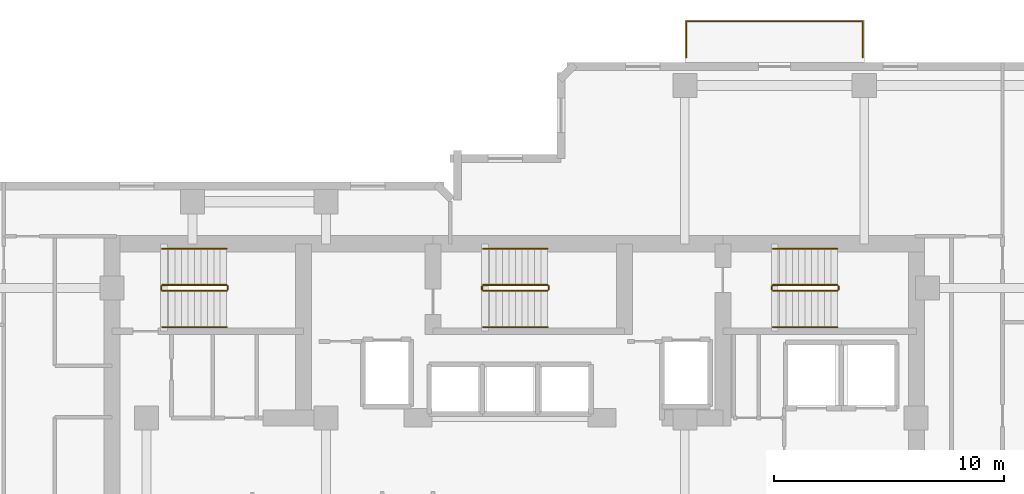
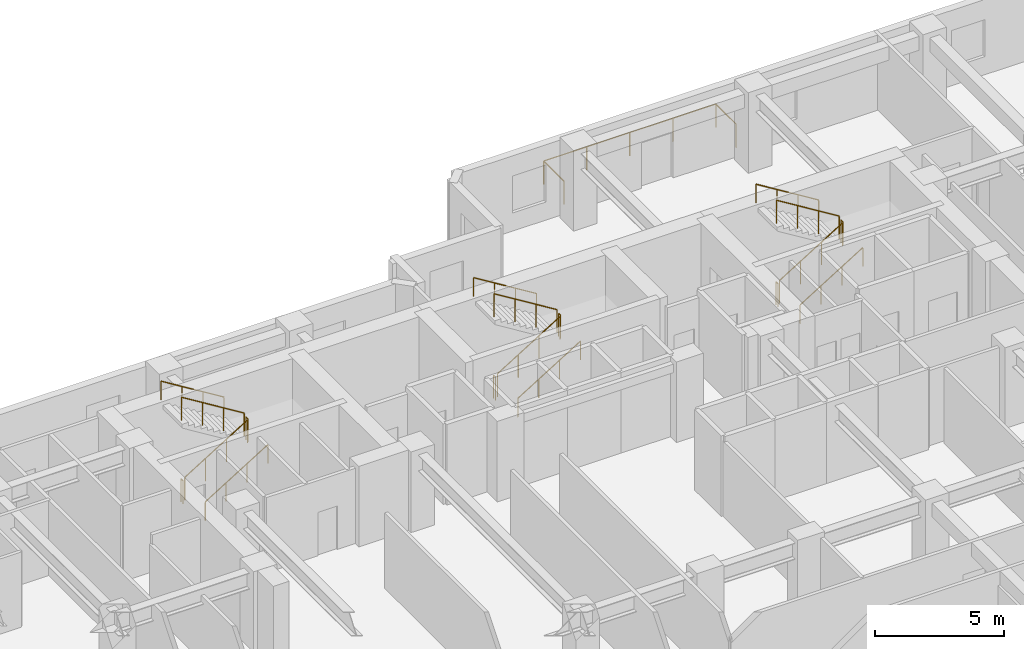
# One storey, part 10 of 10: 19 railings.
"""IFC4 building model written with IfcOpenShell, lengths in metres."""

from ifc_helpers import new_model, si_unit, direction, frame, origin, origin_2d, place, context, subcontext, project, spatial, circle, extrude, material, type_object, element, save


model = new_model("IFC4")

# Units and contexts
model_context = context("Model", 3, precision=1e-05, world=origin(), true_north=direction((0.0, 1.0)))
body_context = subcontext(model_context, "Body", "Model", "MODEL_VIEW")
ifc_project = project(units=[si_unit("LENGTHUNIT", "METRE"), si_unit("AREAUNIT", "SQUARE_METRE"), si_unit("VOLUMEUNIT", "CUBIC_METRE"), si_unit("PLANEANGLEUNIT", "RADIAN"), si_unit("MASSUNIT", "GRAM", prefix="KILO")], contexts=[model_context])

# Site, building, storey
site_placement = place(None, origin())
site = spatial("IfcSite", under=ifc_project, at=site_placement, CompositionType="ELEMENT")
building_placement = place(site_placement, origin())
building = spatial("IfcBuilding", under=site, at=building_placement, Name="Kestravale Grand Hotel", CompositionType="ELEMENT")
storey_placement = place(building_placement, frame((0.0, 0.0, 153.60009765625)))
storey = spatial("IfcBuildingStorey", under=building, at=storey_placement, Name="L38", CompositionType="ELEMENT", Elevation=153.60009765625)

# Railings
ifc_material_1 = material(Name="Champagne-bronze stainless steel and laminated glass guard", Category="steel")
railing_type_1 = type_object("IfcRailingType", Name="RL-EXT-1100", PredefinedType="GUARDRAIL", material=ifc_material_1)
railing_1_placement = place(storey_placement, frame((46.860107421875, 48.419921875, 0.0)))
element("IfcRailing", 1, at=railing_1_placement, inside=storey, type_object=railing_type_1, Name="L38 outdoor terrace guard 1", PredefinedType="GUARDRAIL", context=body_context, shape_type="SweptSolid", body=[
    extrude(circle(Radius=0.02392578125, at=origin_2d()), frame((0.0, 0.0, 1.09619140625), z_axis=(0.0, 1.0, 0.0), x_axis=(-1.0, 0.0, 0.0)), (0.0, 0.0, 1.0), 1.570068359375),
    extrude(circle(Radius=0.02392578125, at=origin_2d()), frame((0.0, 1.570068359375, 1.09619140625), z_axis=(1.0, 0.0, 0.0), x_axis=(0.0, 1.0, 0.0)), (0.0, 0.0, 1.0), 7.679931640625),
    extrude(circle(Radius=0.02392578125, at=origin_2d()), frame((7.679931640625, 1.570068359375, 1.09619140625), z_axis=(0.0, -1.0, 0.0), x_axis=(1.0, 0.0, 0.0)), (0.0, 0.0, 1.0), 1.570068359375),
    extrude(circle(Radius=0.02099609375, at=origin_2d()), origin(), (0.0, 0.0, 1.0), 1.072021484375),
    extrude(circle(Radius=0.02099609375, at=origin_2d()), frame((0.0, 1.570068359375, 0.0)), (0.0, 0.0, 1.0), 1.072021484375),
    extrude(circle(Radius=0.02099609375, at=origin_2d()), frame((1.919921875, 1.570068359375, 0.0)), (0.0, 0.0, 1.0), 1.072021484375),
    extrude(circle(Radius=0.02099609375, at=origin_2d()), frame((3.83984375, 1.570068359375, 0.0)), (0.0, 0.0, 1.0), 1.072021484375),
    extrude(circle(Radius=0.02099609375, at=origin_2d()), frame((5.760009765625, 1.570068359375, 0.0)), (0.0, 0.0, 1.0), 1.072021484375),
    extrude(circle(Radius=0.02099609375, at=origin_2d()), frame((7.679931640625, 1.570068359375, 0.0)), (0.0, 0.0, 1.0), 1.072021484375),
    extrude(circle(Radius=0.02099609375, at=origin_2d()), frame((7.679931640625, 0.0, 0.0)), (0.0, 0.0, 1.0), 1.072021484375),
])
ifc_material_2 = material(Name="Painted tubular steel stair well guard", Category="steel")
railing_type_2 = type_object("IfcRailingType", Name="RL-ST-GRD1100", PredefinedType="GUARDRAIL", material=ifc_material_2)
railing_2_placement = place(storey_placement, frame((24.080078125, 38.280029296875, 0.172607421875)))
element("IfcRailing", 2, at=railing_2_placement, inside=storey, type_object=railing_type_2, Name="L38 ST-1 stair guard 1", PredefinedType="GUARDRAIL", context=body_context, shape_type="SweptSolid", body=[
    extrude(circle(Radius=0.02392578125, at=origin_2d()), frame((0.0, 0.0, 1.076171875), z_axis=(0.851069175582, 0.0, 0.525053576669), x_axis=(0.0, 1.0, 0.0)), (0.0, 0.0, 1.0), 3.289794921875),
    extrude(circle(Radius=0.02099609375, at=origin_2d()), origin(), (0.0, 0.0, 1.0), 1.052001953125),
    extrude(circle(Radius=0.02099609375, at=origin_2d()), frame((0.933349609375, 0.0, 0.57568359375)), (0.0, 0.0, 1.0), 1.052001953125),
    extrude(circle(Radius=0.02099609375, at=origin_2d()), frame((1.866455078125, 0.0, 1.151611328125)), (0.0, 0.0, 1.0), 1.052001953125),
    extrude(circle(Radius=0.02099609375, at=origin_2d()), frame((2.7998046875, 0.0, 1.727294921875)), (0.0, 0.0, 1.0), 1.052001953125),
])
railing_3_placement = place(storey_placement, frame((26.929931640625, 38.330078125, 1.89990234375)))
element("IfcRailing", 3, at=railing_3_placement, inside=storey, type_object=railing_type_2, Name="L38 ST-1 stair guard 2", PredefinedType="GUARDRAIL", context=body_context, shape_type="SweptSolid", body=[
    extrude(circle(Radius=0.02392578125, at=origin_2d()), frame((0.0, 0.0, 1.076171875), z_axis=(0.0, 1.0, 0.0), x_axis=(-1.0, 0.0, 0.0)), (0.0, 0.0, 1.0), 0.14990234375),
    extrude(circle(Radius=0.02099609375, at=origin_2d()), origin(), (0.0, 0.0, 1.0), 1.052001953125),
    extrude(circle(Radius=0.02099609375, at=origin_2d()), frame((0.0, 0.14990234375, 0.0)), (0.0, 0.0, 1.0), 1.052001953125),
])
railing_4_placement = place(storey_placement, frame((26.8798828125, 38.530029296875, 2.072509765625)))
element("IfcRailing", 4, at=railing_4_placement, inside=storey, type_object=railing_type_2, Name="L38 ST-1 stair guard 3", PredefinedType="GUARDRAIL", context=body_context, shape_type="SweptSolid", body=[
    extrude(circle(Radius=0.02392578125, at=origin_2d()), frame((0.0, 0.0, 1.076171875), z_axis=(-0.851069175582, 0.0, 0.525053576669), x_axis=(0.0, -1.0, 0.0)), (0.0, 0.0, 1.0), 3.289794921875),
    extrude(circle(Radius=0.02099609375, at=origin_2d()), origin(), (0.0, 0.0, 1.0), 1.052001953125),
    extrude(circle(Radius=0.02099609375, at=origin_2d()), frame((-0.933349609375, 0.0, 0.57568359375)), (0.0, 0.0, 1.0), 1.052001953125),
    extrude(circle(Radius=0.02099609375, at=origin_2d()), frame((-1.866455078125, 0.0, 1.151611328125)), (0.0, 0.0, 1.0), 1.052001953125),
    extrude(circle(Radius=0.02099609375, at=origin_2d()), frame((-2.7998046875, 0.0, 1.727294921875)), (0.0, 0.0, 1.0), 1.052001953125),
])
railing_5_placement = place(storey_placement, frame((24.030029296875, 38.330078125, 0.0)))
element("IfcRailing", 5, at=railing_5_placement, inside=storey, type_object=railing_type_2, Name="L38 ST-1 stair guard 4", PredefinedType="GUARDRAIL", context=body_context, shape_type="SweptSolid", body=[
    extrude(circle(Radius=0.02392578125, at=origin_2d()), frame((0.0, 0.0, 1.076171875), z_axis=(0.0, 1.0, 0.0), x_axis=(-1.0, 0.0, 0.0)), (0.0, 0.0, 1.0), 0.14990234375),
    extrude(circle(Radius=0.02099609375, at=origin_2d()), origin(), (0.0, 0.0, 1.0), 1.052001953125),
    extrude(circle(Radius=0.02099609375, at=origin_2d()), frame((0.0, 0.14990234375, 0.0)), (0.0, 0.0, 1.0), 1.052001953125),
])
railing_6_placement = place(storey_placement, frame((38.030029296875, 38.280029296875, 0.172607421875)))
element("IfcRailing", 6, at=railing_6_placement, inside=storey, type_object=railing_type_2, Name="L38 ST-2 stair guard 1", PredefinedType="GUARDRAIL", context=body_context, shape_type="SweptSolid", body=[
    extrude(circle(Radius=0.02392578125, at=origin_2d()), frame((0.0, 0.0, 1.076171875), z_axis=(0.851089632645, 0.0, 0.525020415988), x_axis=(0.0, 1.0, 0.0)), (0.0, 0.0, 1.0), 3.2900390625),
    extrude(circle(Radius=0.02099609375, at=origin_2d()), origin(), (0.0, 0.0, 1.0), 1.052001953125),
    extrude(circle(Radius=0.02099609375, at=origin_2d()), frame((0.933349609375, 0.0, 0.57568359375)), (0.0, 0.0, 1.0), 1.052001953125),
    extrude(circle(Radius=0.02099609375, at=origin_2d()), frame((1.86669921875, 0.0, 1.151611328125)), (0.0, 0.0, 1.0), 1.052001953125),
    extrude(circle(Radius=0.02099609375, at=origin_2d()), frame((2.800048828125, 0.0, 1.727294921875)), (0.0, 0.0, 1.0), 1.052001953125),
])
railing_7_placement = place(storey_placement, frame((40.8798828125, 38.330078125, 1.89990234375)))
element("IfcRailing", 7, at=railing_7_placement, inside=storey, type_object=railing_type_2, Name="L38 ST-2 stair guard 2", PredefinedType="GUARDRAIL", context=body_context, shape_type="SweptSolid", body=[
    extrude(circle(Radius=0.02392578125, at=origin_2d()), frame((0.0, 0.0, 1.076171875), z_axis=(0.0, 1.0, 0.0), x_axis=(-1.0, 0.0, 0.0)), (0.0, 0.0, 1.0), 0.14990234375),
    extrude(circle(Radius=0.02099609375, at=origin_2d()), origin(), (0.0, 0.0, 1.0), 1.052001953125),
    extrude(circle(Radius=0.02099609375, at=origin_2d()), frame((0.0, 0.14990234375, 0.0)), (0.0, 0.0, 1.0), 1.052001953125),
])
railing_8_placement = place(storey_placement, frame((40.830078125, 38.530029296875, 2.072509765625)))
element("IfcRailing", 8, at=railing_8_placement, inside=storey, type_object=railing_type_2, Name="L38 ST-2 stair guard 3", PredefinedType="GUARDRAIL", context=body_context, shape_type="SweptSolid", body=[
    extrude(circle(Radius=0.02392578125, at=origin_2d()), frame((0.0, 0.0, 1.076171875), z_axis=(-0.851089632645, 0.0, 0.525020415988), x_axis=(0.0, -1.0, 0.0)), (0.0, 0.0, 1.0), 3.2900390625),
    extrude(circle(Radius=0.02099609375, at=origin_2d()), origin(), (0.0, 0.0, 1.0), 1.052001953125),
    extrude(circle(Radius=0.02099609375, at=origin_2d()), frame((-0.933349609375, 0.0, 0.57568359375)), (0.0, 0.0, 1.0), 1.052001953125),
    extrude(circle(Radius=0.02099609375, at=origin_2d()), frame((-1.86669921875, 0.0, 1.151611328125)), (0.0, 0.0, 1.0), 1.052001953125),
    extrude(circle(Radius=0.02099609375, at=origin_2d()), frame((-2.800048828125, 0.0, 1.727294921875)), (0.0, 0.0, 1.0), 1.052001953125),
])
railing_9_placement = place(storey_placement, frame((37.97998046875, 38.330078125, 0.0)))
element("IfcRailing", 9, at=railing_9_placement, inside=storey, type_object=railing_type_2, Name="L38 ST-2 stair guard 4", PredefinedType="GUARDRAIL", context=body_context, shape_type="SweptSolid", body=[
    extrude(circle(Radius=0.02392578125, at=origin_2d()), frame((0.0, 0.0, 1.076171875), z_axis=(0.0, 1.0, 0.0), x_axis=(-1.0, 0.0, 0.0)), (0.0, 0.0, 1.0), 0.14990234375),
    extrude(circle(Radius=0.02099609375, at=origin_2d()), origin(), (0.0, 0.0, 1.0), 1.052001953125),
    extrude(circle(Radius=0.02099609375, at=origin_2d()), frame((0.0, 0.14990234375, 0.0)), (0.0, 0.0, 1.0), 1.052001953125),
])
railing_10_placement = place(storey_placement, frame((50.6298828125, 38.280029296875, 0.172607421875)))
element("IfcRailing", 10, at=railing_10_placement, inside=storey, type_object=railing_type_2, Name="L38 ST-3 stair guard 1", PredefinedType="GUARDRAIL", context=body_context, shape_type="SweptSolid", body=[
    extrude(circle(Radius=0.02392578125, at=origin_2d()), frame((0.0, 0.0, 1.076171875), z_axis=(0.851089632645, 0.0, 0.525020415988), x_axis=(0.0, 1.0, 0.0)), (0.0, 0.0, 1.0), 3.2900390625),
    extrude(circle(Radius=0.02099609375, at=origin_2d()), origin(), (0.0, 0.0, 1.0), 1.052001953125),
    extrude(circle(Radius=0.02099609375, at=origin_2d()), frame((0.933349609375, 0.0, 0.57568359375)), (0.0, 0.0, 1.0), 1.052001953125),
    extrude(circle(Radius=0.02099609375, at=origin_2d()), frame((1.86669921875, 0.0, 1.151611328125)), (0.0, 0.0, 1.0), 1.052001953125),
    extrude(circle(Radius=0.02099609375, at=origin_2d()), frame((2.800048828125, 0.0, 1.727294921875)), (0.0, 0.0, 1.0), 1.052001953125),
])
railing_11_placement = place(storey_placement, frame((53.47998046875, 38.330078125, 1.89990234375)))
element("IfcRailing", 11, at=railing_11_placement, inside=storey, type_object=railing_type_2, Name="L38 ST-3 stair guard 2", PredefinedType="GUARDRAIL", context=body_context, shape_type="SweptSolid", body=[
    extrude(circle(Radius=0.02392578125, at=origin_2d()), frame((0.0, 0.0, 1.076171875), z_axis=(0.0, 1.0, 0.0), x_axis=(-1.0, 0.0, 0.0)), (0.0, 0.0, 1.0), 0.14990234375),
    extrude(circle(Radius=0.02099609375, at=origin_2d()), origin(), (0.0, 0.0, 1.0), 1.052001953125),
    extrude(circle(Radius=0.02099609375, at=origin_2d()), frame((0.0, 0.14990234375, 0.0)), (0.0, 0.0, 1.0), 1.052001953125),
])
railing_12_placement = place(storey_placement, frame((53.429931640625, 38.530029296875, 2.072509765625)))
element("IfcRailing", 12, at=railing_12_placement, inside=storey, type_object=railing_type_2, Name="L38 ST-3 stair guard 3", PredefinedType="GUARDRAIL", context=body_context, shape_type="SweptSolid", body=[
    extrude(circle(Radius=0.02392578125, at=origin_2d()), frame((0.0, 0.0, 1.076171875), z_axis=(-0.851089632645, 0.0, 0.525020415988), x_axis=(0.0, -1.0, 0.0)), (0.0, 0.0, 1.0), 3.2900390625),
    extrude(circle(Radius=0.02099609375, at=origin_2d()), origin(), (0.0, 0.0, 1.0), 1.052001953125),
    extrude(circle(Radius=0.02099609375, at=origin_2d()), frame((-0.933349609375, 0.0, 0.57568359375)), (0.0, 0.0, 1.0), 1.052001953125),
    extrude(circle(Radius=0.02099609375, at=origin_2d()), frame((-1.86669921875, 0.0, 1.151611328125)), (0.0, 0.0, 1.0), 1.052001953125),
    extrude(circle(Radius=0.02099609375, at=origin_2d()), frame((-2.800048828125, 0.0, 1.727294921875)), (0.0, 0.0, 1.0), 1.052001953125),
])
railing_13_placement = place(storey_placement, frame((50.580078125, 38.330078125, 0.0)))
element("IfcRailing", 13, at=railing_13_placement, inside=storey, type_object=railing_type_2, Name="L38 ST-3 stair guard 4", PredefinedType="GUARDRAIL", context=body_context, shape_type="SweptSolid", body=[
    extrude(circle(Radius=0.02392578125, at=origin_2d()), frame((0.0, 0.0, 1.076171875), z_axis=(0.0, 1.0, 0.0), x_axis=(-1.0, 0.0, 0.0)), (0.0, 0.0, 1.0), 0.14990234375),
    extrude(circle(Radius=0.02099609375, at=origin_2d()), origin(), (0.0, 0.0, 1.0), 1.052001953125),
    extrude(circle(Radius=0.02099609375, at=origin_2d()), frame((0.0, 0.14990234375, 0.0)), (0.0, 0.0, 1.0), 1.052001953125),
])
ifc_material_3 = material(Name="Brushed stainless steel wall handrail", Category="steel")
railing_type_3 = type_object("IfcRailingType", Name="RL-ST-HND900", PredefinedType="HANDRAIL", material=ifc_material_3)
railing_14_placement = place(storey_placement, frame((24.080078125, 36.699951171875, 0.172607421875)))
element("IfcRailing", 14, at=railing_14_placement, inside=storey, type_object=railing_type_3, Name="L38 ST-1 stair handrail 1", PredefinedType="HANDRAIL", context=body_context, shape_type="SweptSolid", body=[
    extrude(circle(Radius=0.02392578125, at=origin_2d()), frame((0.0, 0.0, 0.8759765625), z_axis=(0.851069175582, 0.0, 0.525053576669), x_axis=(0.0, 1.0, 0.0)), (0.0, 0.0, 1.0), 3.289794921875),
    extrude(circle(Radius=0.02099609375, at=origin_2d()), origin(), (0.0, 0.0, 1.0), 0.851806640625),
    extrude(circle(Radius=0.02099609375, at=origin_2d()), frame((0.933349609375, 0.0, 0.57568359375)), (0.0, 0.0, 1.0), 0.851806640625),
    extrude(circle(Radius=0.02099609375, at=origin_2d()), frame((1.866455078125, 0.0, 1.151611328125)), (0.0, 0.0, 1.0), 0.851806640625),
    extrude(circle(Radius=0.02099609375, at=origin_2d()), frame((2.7998046875, 0.0, 1.727294921875)), (0.0, 0.0, 1.0), 0.851806640625),
])
railing_15_placement = place(storey_placement, frame((26.8798828125, 40.110107421875, 2.072509765625)))
element("IfcRailing", 15, at=railing_15_placement, inside=storey, type_object=railing_type_3, Name="L38 ST-1 stair handrail 2", PredefinedType="HANDRAIL", context=body_context, shape_type="SweptSolid", body=[
    extrude(circle(Radius=0.02392578125, at=origin_2d()), frame((0.0, 0.0, 0.8759765625), z_axis=(-0.851069175582, 0.0, 0.525053576669), x_axis=(0.0, -1.0, 0.0)), (0.0, 0.0, 1.0), 3.289794921875),
    extrude(circle(Radius=0.02099609375, at=origin_2d()), origin(), (0.0, 0.0, 1.0), 0.851806640625),
    extrude(circle(Radius=0.02099609375, at=origin_2d()), frame((-0.933349609375, 0.0, 0.57568359375)), (0.0, 0.0, 1.0), 0.851806640625),
    extrude(circle(Radius=0.02099609375, at=origin_2d()), frame((-1.866455078125, 0.0, 1.151611328125)), (0.0, 0.0, 1.0), 0.851806640625),
    extrude(circle(Radius=0.02099609375, at=origin_2d()), frame((-2.7998046875, 0.0, 1.727294921875)), (0.0, 0.0, 1.0), 0.851806640625),
])
railing_16_placement = place(storey_placement, frame((38.030029296875, 36.699951171875, 0.172607421875)))
element("IfcRailing", 16, at=railing_16_placement, inside=storey, type_object=railing_type_3, Name="L38 ST-2 stair handrail 1", PredefinedType="HANDRAIL", context=body_context, shape_type="SweptSolid", body=[
    extrude(circle(Radius=0.02392578125, at=origin_2d()), frame((0.0, 0.0, 0.8759765625), z_axis=(0.851089632645, 0.0, 0.525020415988), x_axis=(0.0, 1.0, 0.0)), (0.0, 0.0, 1.0), 3.2900390625),
    extrude(circle(Radius=0.02099609375, at=origin_2d()), origin(), (0.0, 0.0, 1.0), 0.851806640625),
    extrude(circle(Radius=0.02099609375, at=origin_2d()), frame((0.933349609375, 0.0, 0.57568359375)), (0.0, 0.0, 1.0), 0.851806640625),
    extrude(circle(Radius=0.02099609375, at=origin_2d()), frame((1.86669921875, 0.0, 1.151611328125)), (0.0, 0.0, 1.0), 0.851806640625),
    extrude(circle(Radius=0.02099609375, at=origin_2d()), frame((2.800048828125, 0.0, 1.727294921875)), (0.0, 0.0, 1.0), 0.851806640625),
])
railing_17_placement = place(storey_placement, frame((40.830078125, 40.110107421875, 2.072509765625)))
element("IfcRailing", 17, at=railing_17_placement, inside=storey, type_object=railing_type_3, Name="L38 ST-2 stair handrail 2", PredefinedType="HANDRAIL", context=body_context, shape_type="SweptSolid", body=[
    extrude(circle(Radius=0.02392578125, at=origin_2d()), frame((0.0, 0.0, 0.8759765625), z_axis=(-0.851089632645, 0.0, 0.525020415988), x_axis=(0.0, -1.0, 0.0)), (0.0, 0.0, 1.0), 3.2900390625),
    extrude(circle(Radius=0.02099609375, at=origin_2d()), origin(), (0.0, 0.0, 1.0), 0.851806640625),
    extrude(circle(Radius=0.02099609375, at=origin_2d()), frame((-0.933349609375, 0.0, 0.57568359375)), (0.0, 0.0, 1.0), 0.851806640625),
    extrude(circle(Radius=0.02099609375, at=origin_2d()), frame((-1.86669921875, 0.0, 1.151611328125)), (0.0, 0.0, 1.0), 0.851806640625),
    extrude(circle(Radius=0.02099609375, at=origin_2d()), frame((-2.800048828125, 0.0, 1.727294921875)), (0.0, 0.0, 1.0), 0.851806640625),
])
railing_18_placement = place(storey_placement, frame((50.6298828125, 36.699951171875, 0.172607421875)))
element("IfcRailing", 18, at=railing_18_placement, inside=storey, type_object=railing_type_3, Name="L38 ST-3 stair handrail 1", PredefinedType="HANDRAIL", context=body_context, shape_type="SweptSolid", body=[
    extrude(circle(Radius=0.02392578125, at=origin_2d()), frame((0.0, 0.0, 0.8759765625), z_axis=(0.851089632645, 0.0, 0.525020415988), x_axis=(0.0, 1.0, 0.0)), (0.0, 0.0, 1.0), 3.2900390625),
    extrude(circle(Radius=0.02099609375, at=origin_2d()), origin(), (0.0, 0.0, 1.0), 0.851806640625),
    extrude(circle(Radius=0.02099609375, at=origin_2d()), frame((0.933349609375, 0.0, 0.57568359375)), (0.0, 0.0, 1.0), 0.851806640625),
    extrude(circle(Radius=0.02099609375, at=origin_2d()), frame((1.86669921875, 0.0, 1.151611328125)), (0.0, 0.0, 1.0), 0.851806640625),
    extrude(circle(Radius=0.02099609375, at=origin_2d()), frame((2.800048828125, 0.0, 1.727294921875)), (0.0, 0.0, 1.0), 0.851806640625),
])
railing_19_placement = place(storey_placement, frame((53.429931640625, 40.110107421875, 2.072509765625)))
element("IfcRailing", 19, at=railing_19_placement, inside=storey, type_object=railing_type_3, Name="L38 ST-3 stair handrail 2", PredefinedType="HANDRAIL", context=body_context, shape_type="SweptSolid", body=[
    extrude(circle(Radius=0.02392578125, at=origin_2d()), frame((0.0, 0.0, 0.8759765625), z_axis=(-0.851089632645, 0.0, 0.525020415988), x_axis=(0.0, -1.0, 0.0)), (0.0, 0.0, 1.0), 3.2900390625),
    extrude(circle(Radius=0.02099609375, at=origin_2d()), origin(), (0.0, 0.0, 1.0), 0.851806640625),
    extrude(circle(Radius=0.02099609375, at=origin_2d()), frame((-0.933349609375, 0.0, 0.57568359375)), (0.0, 0.0, 1.0), 0.851806640625),
    extrude(circle(Radius=0.02099609375, at=origin_2d()), frame((-1.86669921875, 0.0, 1.151611328125)), (0.0, 0.0, 1.0), 0.851806640625),
    extrude(circle(Radius=0.02099609375, at=origin_2d()), frame((-2.800048828125, 0.0, 1.727294921875)), (0.0, 0.0, 1.0), 0.851806640625),
])

save(model, "model.ifc")
